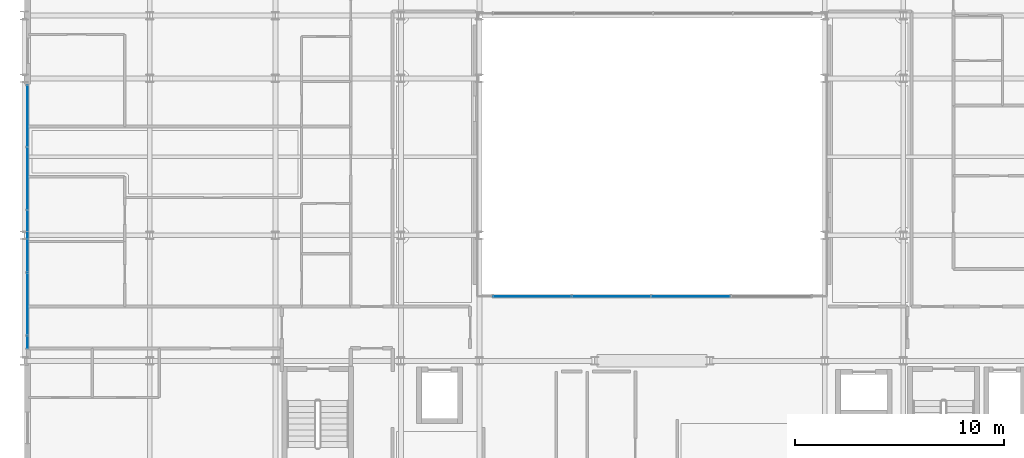
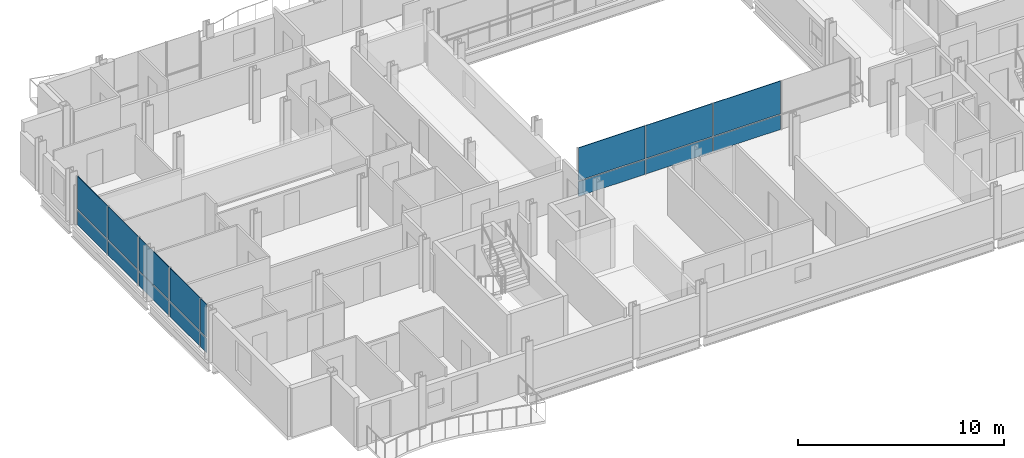
# One storey, part 28 of 41: 16 plates, 2 elements without a shape of their own.
"""IFC4 building model written with IfcOpenShell, lengths in metres."""

from ifc_helpers import new_model, si_unit, direction, frame, origin, origin_2d, place, context, subcontext, project, spatial, rectangle, extrude, material, layer, layer_set, type_object, element, aggregate, save


model = new_model("IFC4")

# Units and contexts
model_context = context("Model", 3, precision=1e-05, world=origin(), true_north=direction((0.0, 1.0)))
body_context = subcontext(model_context, "Body", "Model", "MODEL_VIEW")
ifc_project = project(units=[si_unit("LENGTHUNIT", "METRE"), si_unit("AREAUNIT", "SQUARE_METRE"), si_unit("VOLUMEUNIT", "CUBIC_METRE"), si_unit("PLANEANGLEUNIT", "RADIAN"), si_unit("MASSUNIT", "GRAM", prefix="KILO")], contexts=[model_context])

# Site, building, storey
site_placement = place(None, origin())
site = spatial("IfcSite", under=ifc_project, at=site_placement, CompositionType="ELEMENT")
building_placement = place(site_placement, origin())
building = spatial("IfcBuilding", under=site, at=building_placement, Name="Brevholm Reach", CompositionType="ELEMENT")
storey_placement = place(building_placement, frame((0.0, 0.0, 157.300048828125)))
storey = spatial("IfcBuildingStorey", under=building, at=storey_placement, Name="L47", CompositionType="ELEMENT", Elevation=157.300048828125)

# Curtain wall, plates
ifc_material_1 = material(Name="Dark Anodised Aluminium 6063-T6 and Solar-Control Glass", Category="aluminium")
ifc_layer_1 = layer(ifc_material_1, 0.14990234375)
ifc_layer_set_1 = layer_set([ifc_layer_1], Name="Dark Anodised Aluminium 6063-T6 and Solar-Control Glass")
curtain_wall_type_1 = type_object("IfcCurtainWallType", Name="CW-01", PredefinedType="NOTDEFINED", material=ifc_layer_set_1)
curtain_wall_1_placement = place(storey_placement, origin())
curtain_wall_1 = element("IfcCurtainWall", 1, at=curtain_wall_1_placement, inside=storey, type_object=curtain_wall_type_1, Name="L47 Curtain Wall CW-01", PredefinedType="NOTDEFINED")
ifc_material_2 = material(Name="Dark Solar-Control Double-Glazed IGU Glass", Category="glass")
ifc_layer_2 = layer(ifc_material_2, 0.028076171875)
ifc_layer_set_2 = layer_set([ifc_layer_2], Name="Dark Solar-Control Double-Glazed IGU Glass")
plate_type_1 = type_object("IfcPlateType", Name="CWP-GLZ-28", PredefinedType="CURTAIN_PANEL", material=ifc_layer_set_2)
plate_1_placement = place(storey_placement, frame((0.14990234375, 21.703857421875, 0.0), z_axis=(0.0, 0.0, 1.0), x_axis=(0.0, -1.0, 0.0)))
plate_1 = element("IfcPlate", 2, at=plate_1_placement, type_object=plate_type_1, Name="CP-01 Glazing Panel 1.1", PredefinedType="CURTAIN_PANEL", context=body_context, shape_type="SweptSolid", body=[
    extrude(rectangle(XDim=2.902587890625, YDim=0.028076171875, at=origin_2d()), origin(), (0.0, 0.0, 1.0), 0.867431640625),
])
plate_2_placement = place(storey_placement, frame((0.14990234375, 21.703857421875, 0.9326171875), z_axis=(0.0, 0.0, 1.0), x_axis=(0.0, -1.0, 0.0)))
plate_2 = element("IfcPlate", 3, at=plate_2_placement, type_object=plate_type_1, Name="CP-01 Glazing Panel 1.2", PredefinedType="CURTAIN_PANEL", context=body_context, shape_type="SweptSolid", body=[
    extrude(rectangle(XDim=2.902587890625, YDim=0.028076171875, at=origin_2d()), origin(), (0.0, 0.0, 1.0), 1.947509765625),
])
plate_3_placement = place(storey_placement, frame((0.14990234375, 18.719970703125, 0.0), z_axis=(0.0, 0.0, 1.0), x_axis=(0.0, -1.0, 0.0)))
plate_3 = element("IfcPlate", 4, at=plate_3_placement, type_object=plate_type_1, Name="CP-01 Glazing Panel 2.1", PredefinedType="CURTAIN_PANEL", context=body_context, shape_type="SweptSolid", body=[
    extrude(rectangle(XDim=2.93505859375, YDim=0.028076171875, at=origin_2d()), origin(), (0.0, 0.0, 1.0), 0.867431640625),
])
plate_4_placement = place(storey_placement, frame((0.14990234375, 18.719970703125, 0.9326171875), z_axis=(0.0, 0.0, 1.0), x_axis=(0.0, -1.0, 0.0)))
plate_4 = element("IfcPlate", 5, at=plate_4_placement, type_object=plate_type_1, Name="CP-01 Glazing Panel 2.2", PredefinedType="CURTAIN_PANEL", context=body_context, shape_type="SweptSolid", body=[
    extrude(rectangle(XDim=2.93505859375, YDim=0.028076171875, at=origin_2d()), origin(), (0.0, 0.0, 1.0), 1.947509765625),
])
plate_5_placement = place(storey_placement, frame((0.14990234375, 15.719970703125, 0.0), z_axis=(0.0, 0.0, 1.0), x_axis=(0.0, -1.0, 0.0)))
plate_5 = element("IfcPlate", 6, at=plate_5_placement, type_object=plate_type_1, Name="CP-01 Glazing Panel 3.1", PredefinedType="CURTAIN_PANEL", context=body_context, shape_type="SweptSolid", body=[
    extrude(rectangle(XDim=2.93505859375, YDim=0.028076171875, at=origin_2d()), origin(), (0.0, 0.0, 1.0), 0.867431640625),
])
plate_6_placement = place(storey_placement, frame((0.14990234375, 15.719970703125, 0.9326171875), z_axis=(0.0, 0.0, 1.0), x_axis=(0.0, -1.0, 0.0)))
plate_6 = element("IfcPlate", 7, at=plate_6_placement, type_object=plate_type_1, Name="CP-01 Glazing Panel 3.2", PredefinedType="CURTAIN_PANEL", context=body_context, shape_type="SweptSolid", body=[
    extrude(rectangle(XDim=2.93505859375, YDim=0.028076171875, at=origin_2d()), origin(), (0.0, 0.0, 1.0), 1.947509765625),
])
plate_7_placement = place(storey_placement, frame((0.14990234375, 12.719970703125, 0.0), z_axis=(0.0, 0.0, 1.0), x_axis=(0.0, -1.0, 0.0)))
plate_7 = element("IfcPlate", 8, at=plate_7_placement, type_object=plate_type_1, Name="CP-01 Glazing Panel 4.1", PredefinedType="CURTAIN_PANEL", context=body_context, shape_type="SweptSolid", body=[
    extrude(rectangle(XDim=2.93505859375, YDim=0.028076171875, at=origin_2d()), origin(), (0.0, 0.0, 1.0), 0.867431640625),
])
plate_8_placement = place(storey_placement, frame((0.14990234375, 12.719970703125, 0.9326171875), z_axis=(0.0, 0.0, 1.0), x_axis=(0.0, -1.0, 0.0)))
plate_8 = element("IfcPlate", 9, at=plate_8_placement, type_object=plate_type_1, Name="CP-01 Glazing Panel 4.2", PredefinedType="CURTAIN_PANEL", context=body_context, shape_type="SweptSolid", body=[
    extrude(rectangle(XDim=2.93505859375, YDim=0.028076171875, at=origin_2d()), origin(), (0.0, 0.0, 1.0), 1.947509765625),
])
plate_9_placement = place(storey_placement, frame((0.14990234375, 10.9013671875, 0.0), z_axis=(0.0, 0.0, 1.0), x_axis=(0.0, -1.0, 0.0)))
plate_9 = element("IfcPlate", 10, at=plate_9_placement, type_object=plate_type_1, Name="CP-01 Glazing Panel 5.1", PredefinedType="CURTAIN_PANEL", context=body_context, shape_type="SweptSolid", body=[
    extrude(rectangle(XDim=0.572509765625, YDim=0.028076171875, at=origin_2d()), origin(), (0.0, 0.0, 1.0), 0.867431640625),
])
plate_10_placement = place(storey_placement, frame((0.14990234375, 10.9013671875, 0.9326171875), z_axis=(0.0, 0.0, 1.0), x_axis=(0.0, -1.0, 0.0)))
plate_10 = element("IfcPlate", 11, at=plate_10_placement, type_object=plate_type_1, Name="CP-01 Glazing Panel 5.2", PredefinedType="CURTAIN_PANEL", context=body_context, shape_type="SweptSolid", body=[
    extrude(rectangle(XDim=0.572509765625, YDim=0.028076171875, at=origin_2d()), origin(), (0.0, 0.0, 1.0), 1.947509765625),
])
aggregate(curtain_wall_1, [plate_1, plate_2, plate_3, plate_4, plate_5, plate_6, plate_7, plate_8, plate_9, plate_10])

ifc_material_3 = material(Name="Dark Anodised Aluminium 6063-T6 and Solar-Control Glass", Category="aluminium")
ifc_layer_3 = layer(ifc_material_3, 0.139892578125)
ifc_layer_set_3 = layer_set([ifc_layer_3], Name="Dark Anodised Aluminium 6063-T6 and Solar-Control Glass")
curtain_wall_type_2 = type_object("IfcCurtainWallType", Name="CW-02", PredefinedType="NOTDEFINED", material=ifc_layer_set_3)
curtain_wall_2_placement = place(storey_placement, origin())
curtain_wall_2 = element("IfcCurtainWall", 12, at=curtain_wall_2_placement, inside=storey, type_object=curtain_wall_type_2, Name="L47 Curtain Wall CW-02", PredefinedType="NOTDEFINED")
ifc_material_4 = material(Name="Low-Iron Laminated Acoustic Glass", Category="glass")
ifc_layer_4 = layer(ifc_material_4, 0.035888671875)
ifc_layer_set_4 = layer_set([ifc_layer_4], Name="Low-Iron Laminated Acoustic Glass")
plate_type_2 = type_object("IfcPlateType", Name="CWP-GLZ-36", PredefinedType="CURTAIN_PANEL", material=ifc_layer_set_4)
plate_11_placement = place(storey_placement, frame((24.264892578125, 13.080078125, 0.0), z_axis=(0.0, 0.0, 1.0), x_axis=(1.0, 0.0, 0.0)))
plate_11 = element("IfcPlate", 13, at=plate_11_placement, type_object=plate_type_2, Name="CP-02 Glazing Panel 1.1", PredefinedType="CURTAIN_PANEL", context=body_context, shape_type="SweptSolid", body=[
    extrude(rectangle(XDim=3.7099609375, YDim=0.035888671875, at=origin_2d()), origin(), (0.0, 0.0, 1.0), 0.8701171875),
])
plate_12_placement = place(storey_placement, frame((24.264892578125, 13.080078125, 0.93017578125), z_axis=(0.0, 0.0, 1.0), x_axis=(1.0, 0.0, 0.0)))
plate_12 = element("IfcPlate", 14, at=plate_12_placement, type_object=plate_type_2, Name="CP-02 Glazing Panel 1.2", PredefinedType="CURTAIN_PANEL", context=body_context, shape_type="SweptSolid", body=[
    extrude(rectangle(XDim=3.7099609375, YDim=0.035888671875, at=origin_2d()), origin(), (0.0, 0.0, 1.0), 1.949951171875),
])
plate_13_placement = place(storey_placement, frame((28.050048828125, 13.080078125, 0.0), z_axis=(0.0, 0.0, 1.0), x_axis=(1.0, 0.0, 0.0)))
plate_13 = element("IfcPlate", 15, at=plate_13_placement, type_object=plate_type_2, Name="CP-02 Glazing Panel 2.1", PredefinedType="CURTAIN_PANEL", context=body_context, shape_type="SweptSolid", body=[
    extrude(rectangle(XDim=3.739990234375, YDim=0.035888671875, at=origin_2d()), origin(), (0.0, 0.0, 1.0), 0.8701171875),
])
plate_14_placement = place(storey_placement, frame((28.050048828125, 13.080078125, 0.93017578125), z_axis=(0.0, 0.0, 1.0), x_axis=(1.0, 0.0, 0.0)))
plate_14 = element("IfcPlate", 16, at=plate_14_placement, type_object=plate_type_2, Name="CP-02 Glazing Panel 2.2", PredefinedType="CURTAIN_PANEL", context=body_context, shape_type="SweptSolid", body=[
    extrude(rectangle(XDim=3.739990234375, YDim=0.035888671875, at=origin_2d()), origin(), (0.0, 0.0, 1.0), 1.949951171875),
])
plate_15_placement = place(storey_placement, frame((31.85009765625, 13.080078125, 0.0), z_axis=(0.0, 0.0, 1.0), x_axis=(1.0, 0.0, 0.0)))
plate_15 = element("IfcPlate", 17, at=plate_15_placement, type_object=plate_type_2, Name="CP-02 Glazing Panel 3.1", PredefinedType="CURTAIN_PANEL", context=body_context, shape_type="SweptSolid", body=[
    extrude(rectangle(XDim=3.739990234375, YDim=0.035888671875, at=origin_2d()), origin(), (0.0, 0.0, 1.0), 0.8701171875),
])
plate_16_placement = place(storey_placement, frame((31.85009765625, 13.080078125, 0.93017578125), z_axis=(0.0, 0.0, 1.0), x_axis=(1.0, 0.0, 0.0)))
plate_16 = element("IfcPlate", 18, at=plate_16_placement, type_object=plate_type_2, Name="CP-02 Glazing Panel 3.2", PredefinedType="CURTAIN_PANEL", context=body_context, shape_type="SweptSolid", body=[
    extrude(rectangle(XDim=3.739990234375, YDim=0.035888671875, at=origin_2d()), origin(), (0.0, 0.0, 1.0), 1.949951171875),
])
aggregate(curtain_wall_2, [plate_11, plate_12, plate_13, plate_14, plate_15, plate_16])

save(model, "model.ifc")
